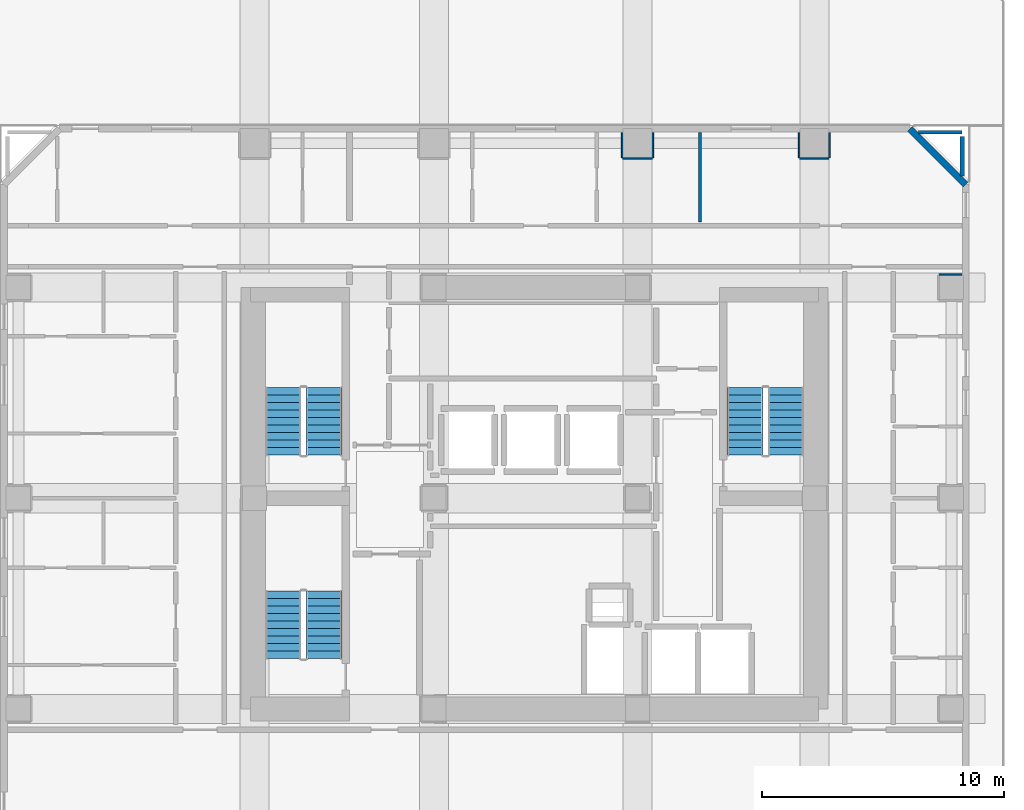
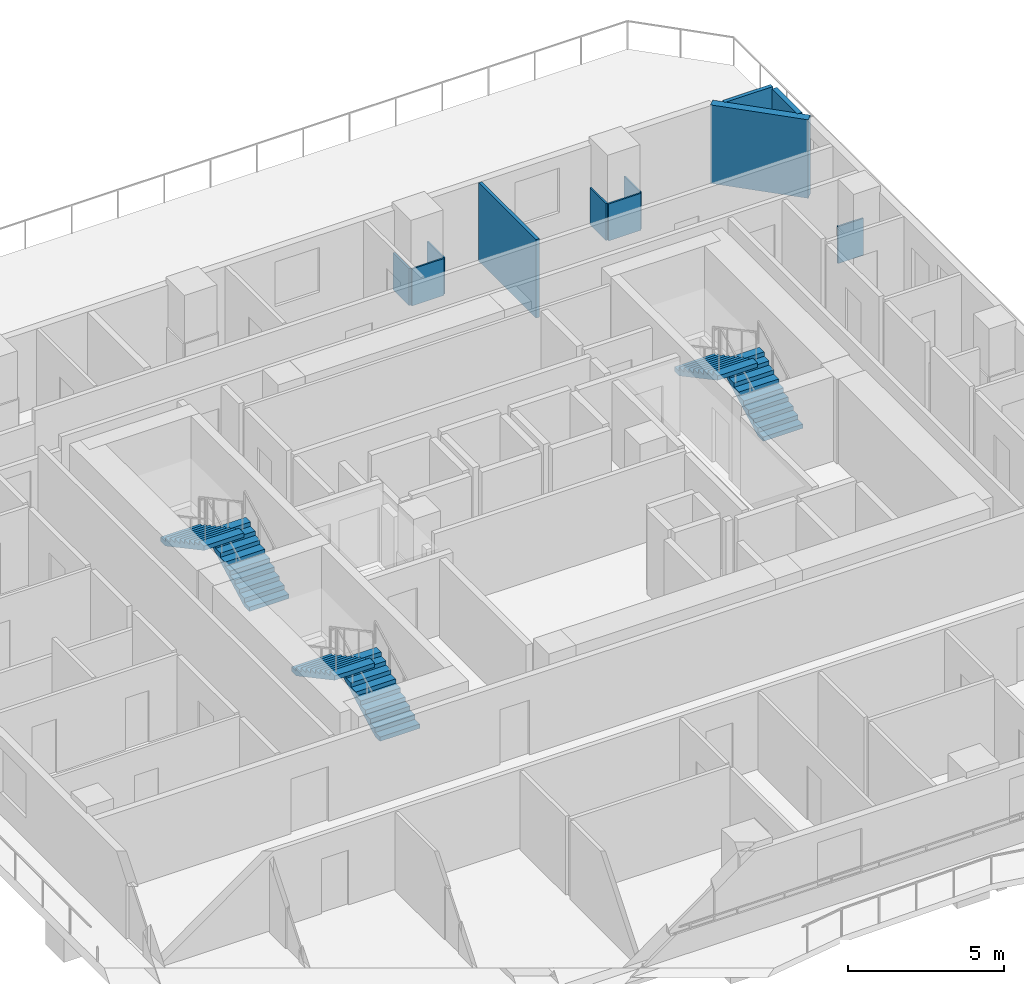
# One storey, part 7 of 11: 11 walls, 6 stair flights, 3 elements without a shape of their own.
"""IFC4 building model written with IfcOpenShell, lengths in metres."""

from ifc_helpers import new_model, si_unit, direction, frame, frame_2d, origin, place, context, subcontext, project, spatial, polyline, rectangle, outline, extrude, material, layer, layer_set, type_object, element, aggregate, save


model = new_model("IFC4")

# Units and contexts
model_context = context("Model", 3, precision=1e-05, world=origin(), true_north=direction((0.0, 1.0)))
body_context = subcontext(model_context, "Body", "Model", "MODEL_VIEW")
ifc_project = project(units=[si_unit("LENGTHUNIT", "METRE"), si_unit("AREAUNIT", "SQUARE_METRE"), si_unit("VOLUMEUNIT", "CUBIC_METRE"), si_unit("PLANEANGLEUNIT", "RADIAN"), si_unit("MASSUNIT", "GRAM", prefix="KILO")], contexts=[model_context])

# Site, building, storey
site_placement = place(None, origin())
site = spatial("IfcSite", under=ifc_project, at=site_placement, CompositionType="ELEMENT")
building_placement = place(site_placement, origin())
building = spatial("IfcBuilding", under=site, at=building_placement, Name="Solanera Arch Residences", CompositionType="ELEMENT")
storey_placement = place(building_placement, frame((0.0, 0.0, 106.080078125)))
storey = spatial("IfcBuildingStorey", under=building, at=storey_placement, Name="L30", CompositionType="ELEMENT", Elevation=106.080078125)

# Walls
ifc_material_1 = material(Name="Fire-Rated Gypsum Stud Partition", Category="gypsum")
ifc_layer_1 = layer(ifc_material_1, 0.06005859375)
ifc_layer_set_1 = layer_set([ifc_layer_1], Name="Fire-Rated Gypsum Stud Partition")
wall_type_1 = type_object("IfcWallType", Name="Column Acoustic Furring Wall 60", PredefinedType="PARTITIONING", material=ifc_layer_set_1)
wall_1_placement = place(storey_placement, frame((28.60009765625, 44.718017578125, 0.0), z_axis=(0.0, 0.0, 1.0), x_axis=(1.0, 0.0, 0.0)))
element("IfcWall", 1, at=wall_1_placement, inside=storey, type_object=wall_type_1, Name="L30 Column Furring 14S", PredefinedType="PARTITIONING", context=body_context, shape_type="SweptSolid", body=[
    extrude(rectangle(XDim=1.199951171875, YDim=0.06005859375, at=frame_2d((0.60009765625, 0.0))), origin(), (0.0, 0.0, 1.0), 1.449951171875),
])
for number, where, z_axis, x_axis, name in (
    (2, (28.568115234375, 44.75, 0.0), (0.0, 0.0, 1.0), (0.0, 1.0, 0.0), "L30 Column Furring 14W"),
    (3, (29.83203125, 44.75, 0.0), (0.0, 0.0, 1.0), (0.0, 1.0, 0.0), "L30 Column Furring 14E"),
):
    element("IfcWall", number, at=place(storey_placement, frame(where, z_axis=z_axis, x_axis=x_axis)), inside=storey, type_object=wall_type_1, Name=name, PredefinedType="PARTITIONING", context=body_context, shape_type="SweptSolid", body=[
        extrude(rectangle(XDim=1.0400390625, YDim=0.06005859375, at=frame_2d((0.52001953125, 0.0))), origin(), (0.0, 0.0, 1.0), 1.449951171875),
    ])
wall_2_placement = place(storey_placement, frame((35.89990234375, 44.718017578125, 0.0), z_axis=(0.0, 0.0, 1.0), x_axis=(1.0, 0.0, 0.0)))
element("IfcWall", 4, at=wall_2_placement, inside=storey, type_object=wall_type_1, Name="L30 Column Furring 16S", PredefinedType="PARTITIONING", context=body_context, shape_type="SweptSolid", body=[
    extrude(rectangle(XDim=1.2001953125, YDim=0.06005859375, at=frame_2d((0.60009765625, 0.0))), origin(), (0.0, 0.0, 1.0), 1.449951171875),
])
for number, where, z_axis, x_axis, name in (
    (5, (35.867919921875, 44.75, 0.0), (0.0, 0.0, 1.0), (0.0, 1.0, 0.0), "L30 Column Furring 16W"),
    (6, (37.132080078125, 44.75, 0.0), (0.0, 0.0, 1.0), (0.0, 1.0, 0.0), "L30 Column Furring 16E"),
):
    element("IfcWall", number, at=place(storey_placement, frame(where, z_axis=z_axis, x_axis=x_axis)), inside=storey, type_object=wall_type_1, Name=name, PredefinedType="PARTITIONING", context=body_context, shape_type="SweptSolid", body=[
        extrude(rectangle(XDim=1.0400390625, YDim=0.06005859375, at=frame_2d((0.52001953125, 0.0))), origin(), (0.0, 0.0, 1.0), 1.449951171875),
    ])
wall_3_placement = place(storey_placement, frame((41.64990234375, 39.931884765625, 0.0), z_axis=(0.0, 0.0, 1.0), x_axis=(1.0, 0.0, 0.0)))
element("IfcWall", 7, at=wall_3_placement, inside=storey, type_object=wall_type_1, Name="L30 Column Furring 22N", PredefinedType="PARTITIONING", context=body_context, shape_type="SweptSolid", body=[
    extrude(rectangle(XDim=0.940185546875, YDim=0.06005859375, at=frame_2d((0.47021484375, 0.0))), origin(), (0.0, 0.0, 1.0), 1.449951171875),
])
ifc_material_2 = material(Name="Autoclaved Aerated Concrete Blockwork", Category="masonry")
ifc_layer_2 = layer(ifc_material_2, 0.179931640625)
ifc_layer_set_2 = layer_set([ifc_layer_2], Name="Autoclaved Aerated Concrete Blockwork")
wall_type_2 = type_object("IfcWallType", Name="Corridor Fire Partition 180", PredefinedType="PARTITIONING", material=ifc_layer_set_2)
wall_4_placement = place(storey_placement, frame((42.60009765625, 44.0048828125, 0.0), z_axis=(0.0, 0.0, 1.0), x_axis=(0.0, 1.0, 0.0)))
element("IfcWall", 8, at=wall_4_placement, inside=storey, type_object=wall_type_2, Name="L30 Interior Partition V14 2", PredefinedType="PARTITIONING", context=body_context, shape_type="SweptSolid", body=[
    extrude(rectangle(XDim=1.627197265625, YDim=0.179931640625, at=frame_2d((0.8134765625, 0.0))), origin(), (0.0, 0.0, 1.0), 3.079833984375),
])
ifc_material_3 = material(Name="Precast Concrete C35/45", Category="concrete")
ifc_layer_3 = layer(ifc_material_3, 0.280029296875)
ifc_layer_set_3 = layer_set([ifc_layer_3], Name="Precast Concrete C35/45")
wall_type_3 = type_object("IfcWallType", Name="Exterior Wall Precast Masonry-Frame 280", PredefinedType="STANDARD", material=ifc_layer_set_3)
wall_5_placement = place(storey_placement, frame((40.445068359375, 45.945068359375, 0.0), z_axis=(0.0, 0.0, 1.0), x_axis=(0.707106781187, -0.707106781187, 0.0)))
element("IfcWall", 9, at=wall_5_placement, inside=storey, type_object=wall_type_3, Name="L30 Tower Exterior Precast Masonry-Frame Wall CH3", PredefinedType="STANDARD", context=body_context, shape_type="SweptSolid", body=[
    extrude(rectangle(XDim=3.252685546875, YDim=0.280029296875, at=frame_2d((1.62646484375, 0.0))), origin(), (0.0, 0.0, 1.0), 3.079833984375),
])
ifc_material_4 = material(Name="Fire-Rated Gypsum Stud Partition", Category="gypsum")
ifc_layer_4 = layer(ifc_material_4, 0.1201171875)
ifc_layer_set_4 = layer_set([ifc_layer_4], Name="Fire-Rated Gypsum Stud Partition")
wall_type_4 = type_object("IfcWallType", Name="Unit Drywall Partition 120", PredefinedType="PARTITIONING", material=ifc_layer_set_4)
wall_6_placement = place(storey_placement, frame((31.778076171875, 42.10791015625, 0.0), z_axis=(0.0, 0.0, 1.0), x_axis=(0.0, 1.0, 0.0)))
element("IfcWall", 10, at=wall_6_placement, inside=storey, type_object=wall_type_4, Name="L30 Interior Partition V28", PredefinedType="PARTITIONING", context=body_context, shape_type="SweptSolid", body=[
    extrude(rectangle(XDim=3.68505859375, YDim=0.1201171875, at=frame_2d((1.842529296875, 0.0))), origin(), (0.0, 0.0, 1.0), 3.079833984375),
])
ifc_material_5 = material(Name="Autoclaved Aerated Concrete Blockwork", Category="masonry")
ifc_layer_5 = layer(ifc_material_5, 0.139892578125)
ifc_layer_set_5 = layer_set([ifc_layer_5], Name="Autoclaved Aerated Concrete Blockwork")
wall_type_5 = type_object("IfcWallType", Name="Wet-Room Partition 140", PredefinedType="PARTITIONING", material=ifc_layer_set_5)
wall_7_placement = place(storey_placement, frame((40.804931640625, 45.800048828125, 0.0), z_axis=(0.0, 0.0, 1.0), x_axis=(1.0, 0.0, 0.0)))
element("IfcWall", 11, at=wall_7_placement, inside=storey, type_object=wall_type_5, Name="L30 Interior Partition H24 2", PredefinedType="PARTITIONING", context=body_context, shape_type="SweptSolid", body=[
    extrude(rectangle(XDim=1.795166015625, YDim=0.139892578125, at=frame_2d((0.8974609375, 0.0))), origin(), (0.0, 0.0, 1.0), 3.079833984375),
])

# Stair, stair flights
ifc_material_6 = material(Name="Concrete C40/50 (f'c = 45 MPa)", Category="concrete")
stair_type = type_object("IfcStairType", Name="Tower Dogleg Exit Stair 1480", PredefinedType="HALF_TURN_STAIR", material=ifc_material_6)
stair_1_placement = place(storey_placement, origin())
stair_1 = element("IfcStair", 12, at=stair_1_placement, inside=storey, type_object=stair_type, Name="L30 Tower Core Exit Stair 1", PredefinedType="HALF_TURN_STAIR")
ifc_material_7 = material(Name="Concrete C40/50 (f'c = 45 MPa)", Category="concrete")
stair_flight_type = type_object("IfcStairFlightType", Name="Tower Precast Stair Flight 1480", PredefinedType="STRAIGHT", material=ifc_material_7)
stair_flight_1_placement = place(storey_placement, frame((16.260009765625, 32.47998046875, 0.0), z_axis=(0.0, 0.0, 1.0), x_axis=(0.0, 1.0, 0.0)))
stair_flight_1 = element("IfcStairFlight", 13, at=stair_flight_1_placement, type_object=stair_flight_type, Name="ST-T1 flight 1", NumberOfRisers=10, NumberOfTreads=9, PredefinedType="STRAIGHT", RiserHeight=0.166, TreadLength=0.31, context=body_context, shape_type="SweptSolid", body=[
    extrude(outline(polyline([(0.0, 0.0), (0.0, 0.166015625), (0.31005859375, 0.166015625), (0.31005859375, 0.33203125), (0.6201171875, 0.33203125), (0.6201171875, 0.498046875), (0.929931640625, 0.498046875), (0.929931640625, 0.6640625), (1.239990234375, 0.6640625), (1.239990234375, 0.830078125), (1.550048828125, 0.830078125), (1.550048828125, 0.99609375), (1.860107421875, 0.99609375), (1.860107421875, 1.162109375), (2.169921875, 1.162109375), (2.169921875, 1.327880859375), (2.47998046875, 1.327880859375), (2.47998046875, 1.493896484375), (2.7900390625, 1.493896484375), (2.7900390625, 1.659912109375), (2.7900390625, 1.323974609375), (0.317626953125, 0.0), (0.0, 0.0)])), frame((0.0, 0.739990234375, 0.0), z_axis=(0.0, -1.0, 0.0), x_axis=(1.0, 0.0, 0.0)), (0.0, 0.0, 1.0), 1.47998046875),
])
stair_flight_2_placement = place(storey_placement, frame((14.580078125, 35.27001953125, 1.659912109375), z_axis=(0.0, 0.0, 1.0), x_axis=(0.0, -1.0, 0.0)))
stair_flight_2 = element("IfcStairFlight", 14, at=stair_flight_2_placement, type_object=stair_flight_type, Name="ST-T1 flight 2", NumberOfRisers=10, NumberOfTreads=9, PredefinedType="STRAIGHT", RiserHeight=0.166, TreadLength=0.31, context=body_context, shape_type="SweptSolid", body=[
    extrude(outline(polyline([(0.0, 0.0), (0.0, 0.166015625), (0.31005859375, 0.166015625), (0.31005859375, 0.33203125), (0.6201171875, 0.33203125), (0.6201171875, 0.498046875), (0.929931640625, 0.498046875), (0.929931640625, 0.6640625), (1.239990234375, 0.6640625), (1.239990234375, 0.830078125), (1.550048828125, 0.830078125), (1.550048828125, 0.99609375), (1.860107421875, 0.99609375), (1.860107421875, 1.162109375), (2.169921875, 1.162109375), (2.169921875, 1.327880859375), (2.47998046875, 1.327880859375), (2.47998046875, 1.493896484375), (2.7900390625, 1.493896484375), (2.7900390625, 1.659912109375), (2.7900390625, 1.323974609375), (0.317626953125, 0.0), (0.0, 0.0)])), frame((0.0, 0.739990234375, 0.0), z_axis=(0.0, -1.0, 0.0), x_axis=(1.0, 0.0, 0.0)), (0.0, 0.0, 1.0), 1.47998046875),
])
aggregate(stair_1, [stair_flight_1, stair_flight_2])

stair_2_placement = place(storey_placement, origin())
stair_2 = element("IfcStair", 15, at=stair_2_placement, inside=storey, type_object=stair_type, Name="L30 Tower Core Exit Stair 2", PredefinedType="HALF_TURN_STAIR")
stair_flight_3_placement = place(storey_placement, frame((35.320068359375, 32.47998046875, 0.0), z_axis=(0.0, 0.0, 1.0), x_axis=(0.0, 1.0, 0.0)))
stair_flight_3 = element("IfcStairFlight", 16, at=stair_flight_3_placement, type_object=stair_flight_type, Name="ST-T2 flight 1", NumberOfRisers=10, NumberOfTreads=9, PredefinedType="STRAIGHT", RiserHeight=0.166, TreadLength=0.31, context=body_context, shape_type="SweptSolid", body=[
    extrude(outline(polyline([(0.0, 0.0), (0.0, 0.166015625), (0.31005859375, 0.166015625), (0.31005859375, 0.33203125), (0.6201171875, 0.33203125), (0.6201171875, 0.498046875), (0.929931640625, 0.498046875), (0.929931640625, 0.6640625), (1.239990234375, 0.6640625), (1.239990234375, 0.830078125), (1.550048828125, 0.830078125), (1.550048828125, 0.99609375), (1.860107421875, 0.99609375), (1.860107421875, 1.162109375), (2.169921875, 1.162109375), (2.169921875, 1.327880859375), (2.47998046875, 1.327880859375), (2.47998046875, 1.493896484375), (2.7900390625, 1.493896484375), (2.7900390625, 1.659912109375), (2.7900390625, 1.323974609375), (0.317626953125, 0.0), (0.0, 0.0)])), frame((0.0, 0.739990234375, 0.0), z_axis=(0.0, -1.0, 0.0), x_axis=(1.0, 0.0, 0.0)), (0.0, 0.0, 1.0), 1.47998046875),
])
stair_flight_4_placement = place(storey_placement, frame((33.639892578125, 35.27001953125, 1.659912109375), z_axis=(0.0, 0.0, 1.0), x_axis=(0.0, -1.0, 0.0)))
stair_flight_4 = element("IfcStairFlight", 17, at=stair_flight_4_placement, type_object=stair_flight_type, Name="ST-T2 flight 2", NumberOfRisers=10, NumberOfTreads=9, PredefinedType="STRAIGHT", RiserHeight=0.166, TreadLength=0.31, context=body_context, shape_type="SweptSolid", body=[
    extrude(outline(polyline([(0.0, 0.0), (0.0, 0.166015625), (0.31005859375, 0.166015625), (0.31005859375, 0.33203125), (0.6201171875, 0.33203125), (0.6201171875, 0.498046875), (0.929931640625, 0.498046875), (0.929931640625, 0.6640625), (1.239990234375, 0.6640625), (1.239990234375, 0.830078125), (1.550048828125, 0.830078125), (1.550048828125, 0.99609375), (1.860107421875, 0.99609375), (1.860107421875, 1.162109375), (2.169921875, 1.162109375), (2.169921875, 1.327880859375), (2.47998046875, 1.327880859375), (2.47998046875, 1.493896484375), (2.7900390625, 1.493896484375), (2.7900390625, 1.659912109375), (2.7900390625, 1.323974609375), (0.317626953125, 0.0), (0.0, 0.0)])), frame((0.0, 0.739990234375, 0.0), z_axis=(0.0, -1.0, 0.0), x_axis=(1.0, 0.0, 0.0)), (0.0, 0.0, 1.0), 1.47998046875),
])
aggregate(stair_2, [stair_flight_3, stair_flight_4])

stair_3_placement = place(storey_placement, origin())
stair_3 = element("IfcStair", 18, at=stair_3_placement, inside=storey, type_object=stair_type, Name="L30 Tower Core Exit Stair 3", PredefinedType="HALF_TURN_STAIR")
stair_flight_5_placement = place(storey_placement, frame((16.260009765625, 24.080078125, 0.0), z_axis=(0.0, 0.0, 1.0), x_axis=(0.0, 1.0, 0.0)))
stair_flight_5 = element("IfcStairFlight", 19, at=stair_flight_5_placement, type_object=stair_flight_type, Name="ST-T3 flight 1", NumberOfRisers=10, NumberOfTreads=9, PredefinedType="STRAIGHT", RiserHeight=0.166, TreadLength=0.31, context=body_context, shape_type="SweptSolid", body=[
    extrude(outline(polyline([(0.0, 0.0), (0.0, 0.166015625), (0.31005859375, 0.166015625), (0.31005859375, 0.33203125), (0.6201171875, 0.33203125), (0.6201171875, 0.498046875), (0.929931640625, 0.498046875), (0.929931640625, 0.6640625), (1.239990234375, 0.6640625), (1.239990234375, 0.830078125), (1.550048828125, 0.830078125), (1.550048828125, 0.99609375), (1.860107421875, 0.99609375), (1.860107421875, 1.162109375), (2.169921875, 1.162109375), (2.169921875, 1.327880859375), (2.47998046875, 1.327880859375), (2.47998046875, 1.493896484375), (2.7900390625, 1.493896484375), (2.7900390625, 1.659912109375), (2.7900390625, 1.323974609375), (0.317626953125, 0.0), (0.0, 0.0)])), frame((0.0, 0.739990234375, 0.0), z_axis=(0.0, -1.0, 0.0), x_axis=(1.0, 0.0, 0.0)), (0.0, 0.0, 1.0), 1.47998046875),
])
stair_flight_6_placement = place(storey_placement, frame((14.580078125, 26.8701171875, 1.659912109375), z_axis=(0.0, 0.0, 1.0), x_axis=(0.0, -1.0, 0.0)))
stair_flight_6 = element("IfcStairFlight", 20, at=stair_flight_6_placement, type_object=stair_flight_type, Name="ST-T3 flight 2", NumberOfRisers=10, NumberOfTreads=9, PredefinedType="STRAIGHT", RiserHeight=0.166, TreadLength=0.31, context=body_context, shape_type="SweptSolid", body=[
    extrude(outline(polyline([(0.0, 0.0), (0.0, 0.166015625), (0.31005859375, 0.166015625), (0.31005859375, 0.33203125), (0.6201171875, 0.33203125), (0.6201171875, 0.498046875), (0.929931640625, 0.498046875), (0.929931640625, 0.6640625), (1.239990234375, 0.6640625), (1.239990234375, 0.830078125), (1.550048828125, 0.830078125), (1.550048828125, 0.99609375), (1.860107421875, 0.99609375), (1.860107421875, 1.162109375), (2.169921875, 1.162109375), (2.169921875, 1.327880859375), (2.47998046875, 1.327880859375), (2.47998046875, 1.493896484375), (2.7900390625, 1.493896484375), (2.7900390625, 1.659912109375), (2.7900390625, 1.323974609375), (0.317626953125, 0.0), (0.0, 0.0)])), frame((0.0, 0.739990234375, 0.0), z_axis=(0.0, -1.0, 0.0), x_axis=(1.0, 0.0, 0.0)), (0.0, 0.0, 1.0), 1.47998046875),
])
aggregate(stair_3, [stair_flight_5, stair_flight_6])

save(model, "model.ifc")
